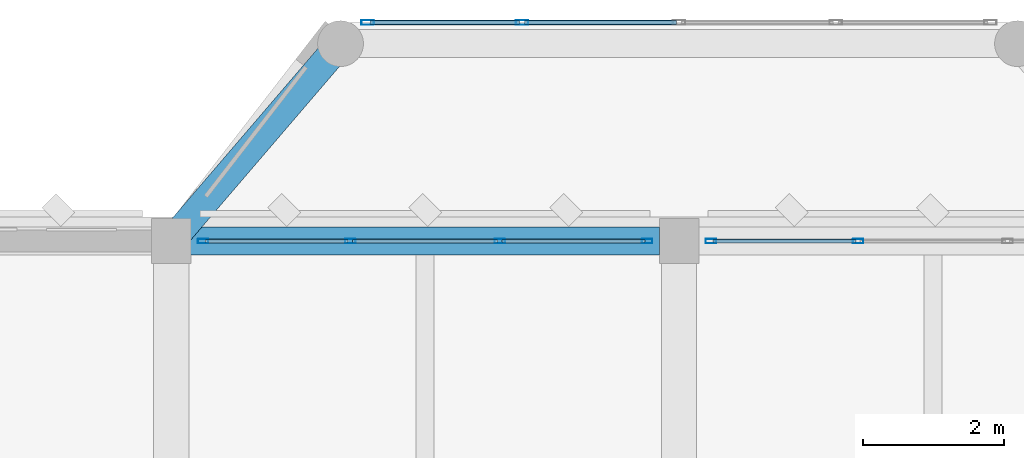
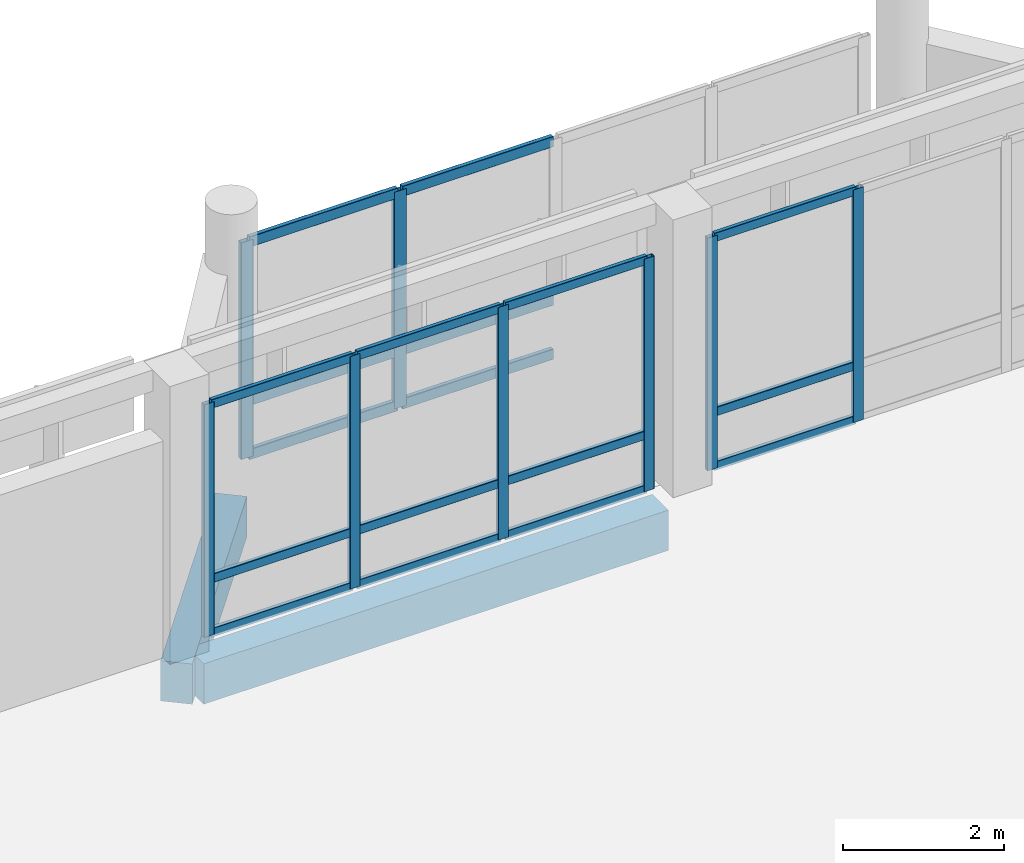
# One storey, part 112 of 158: 26 members, 2 beams, 3 elements without a shape of their own.
"""IFC4 building model written with IfcOpenShell, lengths in metres."""

from ifc_helpers import new_model, si_unit, direction, frame, origin, origin_2d, place, context, subcontext, project, spatial, rectangle, hollow_rectangle, extrude, material, material_profile, profile_set, type_object, element, aggregate, save


model = new_model("IFC4")

# Units and contexts
model_context = context("Model", 3, precision=1e-05, world=origin(), true_north=direction((0.0, 1.0)))
body_context = subcontext(model_context, "Body", "Model", "MODEL_VIEW")
ifc_project = project(units=[si_unit("LENGTHUNIT", "METRE"), si_unit("AREAUNIT", "SQUARE_METRE"), si_unit("VOLUMEUNIT", "CUBIC_METRE"), si_unit("PLANEANGLEUNIT", "RADIAN"), si_unit("MASSUNIT", "GRAM", prefix="KILO")], contexts=[model_context])

# Site, building, storey
site_placement = place(None, origin())
site = spatial("IfcSite", under=ifc_project, at=site_placement, CompositionType="ELEMENT")
building_placement = place(site_placement, origin())
building = spatial("IfcBuilding", under=site, at=building_placement, Name="Lusvemor Sports Hall", CompositionType="ELEMENT")
storey_placement = place(building_placement, frame((0.0, 0.0, 10.800048828125)))
storey = spatial("IfcBuildingStorey", under=building, at=storey_placement, Name="L02", CompositionType="ELEMENT", Elevation=10.800048828125)

# Curtain wall, members
ifc_material_1 = material(Name="Thermally broken bronze-anodized aluminium", Category="aluminium")
curtain_wall_type_1 = type_object("IfcCurtainWallType", Name="CW_FOYER_A", PredefinedType="NOTDEFINED", material=ifc_material_1)
curtain_wall_1_placement = place(storey_placement, origin())
curtain_wall_1 = element("IfcCurtainWall", 1, at=curtain_wall_1_placement, inside=storey, type_object=curtain_wall_type_1, Name="Curtain Wall CW-BOW-N3-L02-M", PredefinedType="NOTDEFINED")
ifc_material_2 = material(Name="Thermally broken bronze-anodized aluminium", Category="aluminium")
ifc_material_profile_1 = material_profile(ifc_material_2, hollow_rectangle(XDim=0.070068359375, YDim=0.179931640625, WallThickness=0.0048828125, InnerFilletRadius=0.0048828125, OuterFilletRadius=0.010009765625, at=origin_2d()), Name="CWMUL180x70x5")
ifc_profile_set_1 = profile_set([ifc_material_profile_1], Name="Thermally broken bronze-anodized aluminium")
member_type_1 = type_object("IfcMemberType", Name="CW_MUL_A", PredefinedType="MULLION", material=ifc_profile_set_1)
member_1_placement = place(storey_placement, frame((128.784912109375, 118.300048828125, 0.0), z_axis=(0.0, 0.0, 1.0), x_axis=(0.0, 1.0, 0.0)))
member_1 = element("IfcMember", 2, at=member_1_placement, type_object=member_type_1, Name="CW01 mullion 1", PredefinedType="MULLION", context=body_context, shape_type="SweptSolid", body=[
    extrude(hollow_rectangle(XDim=0.070068359375, YDim=0.179931640625, WallThickness=0.0048828125, InnerFilletRadius=0.0048828125, OuterFilletRadius=0.010009765625, at=origin_2d()), origin(), (0.0, 0.0, 1.0), 3.280029296875),
])
member_2_placement = place(storey_placement, frame((130.97509765625, 118.300048828125, 0.0), z_axis=(0.0, 0.0, 1.0), x_axis=(0.0, 1.0, 0.0)))
member_2 = element("IfcMember", 3, at=member_2_placement, type_object=member_type_1, Name="CW01 mullion 2", PredefinedType="MULLION", context=body_context, shape_type="SweptSolid", body=[
    extrude(hollow_rectangle(XDim=0.070068359375, YDim=0.179931640625, WallThickness=0.0048828125, InnerFilletRadius=0.0048828125, OuterFilletRadius=0.010009765625, at=origin_2d()), origin(), (0.0, 0.0, 1.0), 3.280029296875),
])

ifc_material_3 = material(Name="Thermally broken bronze-anodized aluminium", Category="aluminium")
curtain_wall_type_2 = type_object("IfcCurtainWallType", Name="CW_WING_B", PredefinedType="NOTDEFINED", material=ifc_material_3)
curtain_wall_2_placement = place(storey_placement, origin())
curtain_wall_2 = element("IfcCurtainWall", 4, at=curtain_wall_2_placement, inside=storey, type_object=curtain_wall_type_2, Name="Curtain Wall CW-L02-N-1-13", PredefinedType="NOTDEFINED")
ifc_material_4 = material(Name="Thermally broken bronze-anodized aluminium", Category="aluminium")
ifc_material_profile_2 = material_profile(ifc_material_4, hollow_rectangle(XDim=0.06494140625, YDim=0.14990234375, WallThickness=0.00390625, InnerFilletRadius=0.00390625, OuterFilletRadius=0.008056640625, at=origin_2d()), Name="CWMUL150x65x4")
ifc_profile_set_2 = profile_set([ifc_material_profile_2], Name="Thermally broken bronze-anodized aluminium")
member_type_2 = type_object("IfcMemberType", Name="CW_MUL_B", PredefinedType="MULLION", material=ifc_profile_set_2)
member_3_placement = place(storey_placement, frame((126.452392578125, 115.199951171875, 0.0), z_axis=(0.0, 0.0, 1.0), x_axis=(0.0, 1.0, 0.0)))
member_3 = element("IfcMember", 5, at=member_3_placement, type_object=member_type_2, Name="CW02 mullion 1", PredefinedType="MULLION", context=body_context, shape_type="SweptSolid", body=[
    extrude(hollow_rectangle(XDim=0.06494140625, YDim=0.14990234375, WallThickness=0.00390625, InnerFilletRadius=0.00390625, OuterFilletRadius=0.008056640625, at=origin_2d()), origin(), (0.0, 0.0, 1.0), 3.52001953125),
])
member_4_placement = place(storey_placement, frame((128.5400390625, 115.199951171875, 0.0), z_axis=(0.0, 0.0, 1.0), x_axis=(0.0, 1.0, 0.0)))
member_4 = element("IfcMember", 6, at=member_4_placement, type_object=member_type_2, Name="CW02 mullion 2", PredefinedType="MULLION", context=body_context, shape_type="SweptSolid", body=[
    extrude(hollow_rectangle(XDim=0.06494140625, YDim=0.14990234375, WallThickness=0.00390625, InnerFilletRadius=0.00390625, OuterFilletRadius=0.008056640625, at=origin_2d()), origin(), (0.0, 0.0, 1.0), 3.52001953125),
])
member_5_placement = place(storey_placement, frame((130.659912109375, 115.199951171875, 0.0), z_axis=(0.0, 0.0, 1.0), x_axis=(0.0, 1.0, 0.0)))
member_5 = element("IfcMember", 7, at=member_5_placement, type_object=member_type_2, Name="CW02 mullion 3", PredefinedType="MULLION", context=body_context, shape_type="SweptSolid", body=[
    extrude(hollow_rectangle(XDim=0.06494140625, YDim=0.14990234375, WallThickness=0.00390625, InnerFilletRadius=0.00390625, OuterFilletRadius=0.008056640625, at=origin_2d()), origin(), (0.0, 0.0, 1.0), 3.52001953125),
])
member_6_placement = place(storey_placement, frame((132.74755859375, 115.199951171875, 0.0), z_axis=(0.0, 0.0, 1.0), x_axis=(0.0, 1.0, 0.0)))
member_6 = element("IfcMember", 8, at=member_6_placement, type_object=member_type_2, Name="CW02 mullion 4", PredefinedType="MULLION", context=body_context, shape_type="SweptSolid", body=[
    extrude(hollow_rectangle(XDim=0.06494140625, YDim=0.14990234375, WallThickness=0.00390625, InnerFilletRadius=0.00390625, OuterFilletRadius=0.008056640625, at=origin_2d()), origin(), (0.0, 0.0, 1.0), 3.52001953125),
])

curtain_wall_3_placement = place(storey_placement, origin())
curtain_wall_3 = element("IfcCurtainWall", 9, at=curtain_wall_3_placement, inside=storey, type_object=curtain_wall_type_2, Name="Curtain Wall CW-L02-N-1-14", PredefinedType="NOTDEFINED")
member_7_placement = place(storey_placement, frame((133.652587890625, 115.199951171875, 0.0), z_axis=(0.0, 0.0, 1.0), x_axis=(0.0, 1.0, 0.0)))
member_7 = element("IfcMember", 10, at=member_7_placement, type_object=member_type_2, Name="CW02 mullion 1", PredefinedType="MULLION", context=body_context, shape_type="SweptSolid", body=[
    extrude(hollow_rectangle(XDim=0.06494140625, YDim=0.14990234375, WallThickness=0.00390625, InnerFilletRadius=0.00390625, OuterFilletRadius=0.008056640625, at=origin_2d()), origin(), (0.0, 0.0, 1.0), 3.52001953125),
])
member_8_placement = place(storey_placement, frame((135.739990234375, 115.199951171875, 0.0), z_axis=(0.0, 0.0, 1.0), x_axis=(0.0, 1.0, 0.0)))
member_8 = element("IfcMember", 11, at=member_8_placement, type_object=member_type_2, Name="CW02 mullion 2", PredefinedType="MULLION", context=body_context, shape_type="SweptSolid", body=[
    extrude(hollow_rectangle(XDim=0.06494140625, YDim=0.14990234375, WallThickness=0.00390625, InnerFilletRadius=0.00390625, OuterFilletRadius=0.008056640625, at=origin_2d()), origin(), (0.0, 0.0, 1.0), 3.52001953125),
])

# Member
ifc_material_5 = material(Name="Thermally broken bronze-anodized aluminium", Category="aluminium")
ifc_material_profile_3 = material_profile(ifc_material_5, hollow_rectangle(XDim=0.06494140625, YDim=0.159912109375, WallThickness=0.00390625, InnerFilletRadius=0.00390625, OuterFilletRadius=0.008056640625, at=origin_2d()), Name="CWTRN160x65x4")
ifc_profile_set_3 = profile_set([ifc_material_profile_3], Name="Thermally broken bronze-anodized aluminium")
member_type_3 = type_object("IfcMemberType", Name="CW_TRN_A", PredefinedType="USERDEFINED", material=ifc_profile_set_3)
member_9_placement = place(storey_placement, frame((128.820068359375, 118.300048828125, 0.032470703125), z_axis=(1.0, 0.0, 0.0), x_axis=(0.0, 1.0, 0.0)))
member_9 = element("IfcMember", 12, at=member_9_placement, type_object=member_type_3, Name="CW01 transom 1.1", ObjectType="TRANSOM", PredefinedType="USERDEFINED", context=body_context, shape_type="SweptSolid", body=[
    extrude(hollow_rectangle(XDim=0.06494140625, YDim=0.159912109375, WallThickness=0.00390625, InnerFilletRadius=0.00390625, OuterFilletRadius=0.008056640625, at=origin_2d()), origin(), (0.0, 0.0, 1.0), 2.119873046875),
])

member_10_placement = place(storey_placement, frame((128.820068359375, 118.300048828125, 0.849853515625), z_axis=(1.0, 0.0, 0.0), x_axis=(0.0, 1.0, 0.0)))
member_10 = element("IfcMember", 13, at=member_10_placement, type_object=member_type_3, Name="CW01 transom 1.2", ObjectType="TRANSOM", PredefinedType="USERDEFINED", context=body_context, shape_type="SweptSolid", body=[
    extrude(hollow_rectangle(XDim=0.06494140625, YDim=0.159912109375, WallThickness=0.00390625, InnerFilletRadius=0.00390625, OuterFilletRadius=0.008056640625, at=origin_2d()), origin(), (0.0, 0.0, 1.0), 2.119873046875),
])

member_11_placement = place(storey_placement, frame((128.820068359375, 118.300048828125, 3.24755859375), z_axis=(1.0, 0.0, 0.0), x_axis=(0.0, 1.0, 0.0)))
member_11 = element("IfcMember", 14, at=member_11_placement, type_object=member_type_3, Name="CW01 transom 1.3", ObjectType="TRANSOM", PredefinedType="USERDEFINED", context=body_context, shape_type="SweptSolid", body=[
    extrude(hollow_rectangle(XDim=0.06494140625, YDim=0.159912109375, WallThickness=0.00390625, InnerFilletRadius=0.00390625, OuterFilletRadius=0.008056640625, at=origin_2d()), origin(), (0.0, 0.0, 1.0), 2.119873046875),
])

member_12_placement = place(storey_placement, frame((131.010009765625, 118.300048828125, 0.032470703125), z_axis=(1.0, 0.0, 0.0), x_axis=(0.0, 1.0, 0.0)))
member_12 = element("IfcMember", 15, at=member_12_placement, type_object=member_type_3, Name="CW01 transom 2.1", ObjectType="TRANSOM", PredefinedType="USERDEFINED", context=body_context, shape_type="SweptSolid", body=[
    extrude(hollow_rectangle(XDim=0.06494140625, YDim=0.159912109375, WallThickness=0.00390625, InnerFilletRadius=0.00390625, OuterFilletRadius=0.008056640625, at=origin_2d()), origin(), (0.0, 0.0, 1.0), 2.155029296875),
])

member_13_placement = place(storey_placement, frame((131.010009765625, 118.300048828125, 0.849853515625), z_axis=(1.0, 0.0, 0.0), x_axis=(0.0, 1.0, 0.0)))
member_13 = element("IfcMember", 16, at=member_13_placement, type_object=member_type_3, Name="CW01 transom 2.2", ObjectType="TRANSOM", PredefinedType="USERDEFINED", context=body_context, shape_type="SweptSolid", body=[
    extrude(hollow_rectangle(XDim=0.06494140625, YDim=0.159912109375, WallThickness=0.00390625, InnerFilletRadius=0.00390625, OuterFilletRadius=0.008056640625, at=origin_2d()), origin(), (0.0, 0.0, 1.0), 2.155029296875),
])

member_14_placement = place(storey_placement, frame((131.010009765625, 118.300048828125, 3.24755859375), z_axis=(1.0, 0.0, 0.0), x_axis=(0.0, 1.0, 0.0)))
member_14 = element("IfcMember", 17, at=member_14_placement, type_object=member_type_3, Name="CW01 transom 2.3", ObjectType="TRANSOM", PredefinedType="USERDEFINED", context=body_context, shape_type="SweptSolid", body=[
    extrude(hollow_rectangle(XDim=0.06494140625, YDim=0.159912109375, WallThickness=0.00390625, InnerFilletRadius=0.00390625, OuterFilletRadius=0.008056640625, at=origin_2d()), origin(), (0.0, 0.0, 1.0), 2.155029296875),
])

aggregate(curtain_wall_1, [member_1, member_2, member_9, member_10, member_11, member_12, member_13, member_14])

ifc_material_6 = material(Name="Thermally broken bronze-anodized aluminium", Category="aluminium")
ifc_material_profile_4 = material_profile(ifc_material_6, hollow_rectangle(XDim=0.06005859375, YDim=0.135009765625, WallThickness=0.00390625, InnerFilletRadius=0.00390625, OuterFilletRadius=0.008056640625, at=origin_2d()), Name="CWTRN135x60x4")
ifc_profile_set_4 = profile_set([ifc_material_profile_4], Name="Thermally broken bronze-anodized aluminium")
member_type_4 = type_object("IfcMemberType", Name="CW_TRN_B", PredefinedType="USERDEFINED", material=ifc_profile_set_4)
member_15_placement = place(storey_placement, frame((126.485107421875, 115.199951171875, 0.030029296875), z_axis=(1.0, 0.0, 0.0), x_axis=(0.0, 1.0, 0.0)))
member_15 = element("IfcMember", 18, at=member_15_placement, type_object=member_type_4, Name="CW02 transom 1.1", ObjectType="TRANSOM", PredefinedType="USERDEFINED", context=body_context, shape_type="SweptSolid", body=[
    extrude(hollow_rectangle(XDim=0.06005859375, YDim=0.135009765625, WallThickness=0.00390625, InnerFilletRadius=0.00390625, OuterFilletRadius=0.008056640625, at=origin_2d()), origin(), (0.0, 0.0, 1.0), 2.0224609375),
])

member_16_placement = place(storey_placement, frame((126.485107421875, 115.199951171875, 0.849853515625), z_axis=(1.0, 0.0, 0.0), x_axis=(0.0, 1.0, 0.0)))
member_16 = element("IfcMember", 19, at=member_16_placement, type_object=member_type_4, Name="CW02 transom 1.2", ObjectType="TRANSOM", PredefinedType="USERDEFINED", context=body_context, shape_type="SweptSolid", body=[
    extrude(hollow_rectangle(XDim=0.06005859375, YDim=0.135009765625, WallThickness=0.00390625, InnerFilletRadius=0.00390625, OuterFilletRadius=0.008056640625, at=origin_2d()), origin(), (0.0, 0.0, 1.0), 2.0224609375),
])

member_17_placement = place(storey_placement, frame((126.485107421875, 115.199951171875, 3.489990234375), z_axis=(1.0, 0.0, 0.0), x_axis=(0.0, 1.0, 0.0)))
member_17 = element("IfcMember", 20, at=member_17_placement, type_object=member_type_4, Name="CW02 transom 1.3", ObjectType="TRANSOM", PredefinedType="USERDEFINED", context=body_context, shape_type="SweptSolid", body=[
    extrude(hollow_rectangle(XDim=0.06005859375, YDim=0.135009765625, WallThickness=0.00390625, InnerFilletRadius=0.00390625, OuterFilletRadius=0.008056640625, at=origin_2d()), origin(), (0.0, 0.0, 1.0), 2.0224609375),
])

member_18_placement = place(storey_placement, frame((128.572509765625, 115.199951171875, 0.030029296875), z_axis=(1.0, 0.0, 0.0), x_axis=(0.0, 1.0, 0.0)))
member_18 = element("IfcMember", 21, at=member_18_placement, type_object=member_type_4, Name="CW02 transom 2.1", ObjectType="TRANSOM", PredefinedType="USERDEFINED", context=body_context, shape_type="SweptSolid", body=[
    extrude(hollow_rectangle(XDim=0.06005859375, YDim=0.135009765625, WallThickness=0.00390625, InnerFilletRadius=0.00390625, OuterFilletRadius=0.008056640625, at=origin_2d()), origin(), (0.0, 0.0, 1.0), 2.054931640625),
])

member_19_placement = place(storey_placement, frame((128.572509765625, 115.199951171875, 0.849853515625), z_axis=(1.0, 0.0, 0.0), x_axis=(0.0, 1.0, 0.0)))
member_19 = element("IfcMember", 22, at=member_19_placement, type_object=member_type_4, Name="CW02 transom 2.2", ObjectType="TRANSOM", PredefinedType="USERDEFINED", context=body_context, shape_type="SweptSolid", body=[
    extrude(hollow_rectangle(XDim=0.06005859375, YDim=0.135009765625, WallThickness=0.00390625, InnerFilletRadius=0.00390625, OuterFilletRadius=0.008056640625, at=origin_2d()), origin(), (0.0, 0.0, 1.0), 2.054931640625),
])

member_20_placement = place(storey_placement, frame((128.572509765625, 115.199951171875, 3.489990234375), z_axis=(1.0, 0.0, 0.0), x_axis=(0.0, 1.0, 0.0)))
member_20 = element("IfcMember", 23, at=member_20_placement, type_object=member_type_4, Name="CW02 transom 2.3", ObjectType="TRANSOM", PredefinedType="USERDEFINED", context=body_context, shape_type="SweptSolid", body=[
    extrude(hollow_rectangle(XDim=0.06005859375, YDim=0.135009765625, WallThickness=0.00390625, InnerFilletRadius=0.00390625, OuterFilletRadius=0.008056640625, at=origin_2d()), origin(), (0.0, 0.0, 1.0), 2.054931640625),
])

member_21_placement = place(storey_placement, frame((130.6923828125, 115.199951171875, 0.030029296875), z_axis=(1.0, 0.0, 0.0), x_axis=(0.0, 1.0, 0.0)))
member_21 = element("IfcMember", 24, at=member_21_placement, type_object=member_type_4, Name="CW02 transom 3.1", ObjectType="TRANSOM", PredefinedType="USERDEFINED", context=body_context, shape_type="SweptSolid", body=[
    extrude(hollow_rectangle(XDim=0.06005859375, YDim=0.135009765625, WallThickness=0.00390625, InnerFilletRadius=0.00390625, OuterFilletRadius=0.008056640625, at=origin_2d()), origin(), (0.0, 0.0, 1.0), 2.022705078125),
])

member_22_placement = place(storey_placement, frame((130.6923828125, 115.199951171875, 0.849853515625), z_axis=(1.0, 0.0, 0.0), x_axis=(0.0, 1.0, 0.0)))
member_22 = element("IfcMember", 25, at=member_22_placement, type_object=member_type_4, Name="CW02 transom 3.2", ObjectType="TRANSOM", PredefinedType="USERDEFINED", context=body_context, shape_type="SweptSolid", body=[
    extrude(hollow_rectangle(XDim=0.06005859375, YDim=0.135009765625, WallThickness=0.00390625, InnerFilletRadius=0.00390625, OuterFilletRadius=0.008056640625, at=origin_2d()), origin(), (0.0, 0.0, 1.0), 2.022705078125),
])

member_23_placement = place(storey_placement, frame((130.6923828125, 115.199951171875, 3.489990234375), z_axis=(1.0, 0.0, 0.0), x_axis=(0.0, 1.0, 0.0)))
member_23 = element("IfcMember", 26, at=member_23_placement, type_object=member_type_4, Name="CW02 transom 3.3", ObjectType="TRANSOM", PredefinedType="USERDEFINED", context=body_context, shape_type="SweptSolid", body=[
    extrude(hollow_rectangle(XDim=0.06005859375, YDim=0.135009765625, WallThickness=0.00390625, InnerFilletRadius=0.00390625, OuterFilletRadius=0.008056640625, at=origin_2d()), origin(), (0.0, 0.0, 1.0), 2.022705078125),
])

aggregate(curtain_wall_2, [member_3, member_4, member_5, member_6, member_15, member_16, member_17, member_18, member_19, member_20, member_21, member_22, member_23])

member_24_placement = place(storey_placement, frame((133.68505859375, 115.199951171875, 0.030029296875), z_axis=(1.0, 0.0, 0.0), x_axis=(0.0, 1.0, 0.0)))
member_24 = element("IfcMember", 27, at=member_24_placement, type_object=member_type_4, Name="CW02 transom 1.1", ObjectType="TRANSOM", PredefinedType="USERDEFINED", context=body_context, shape_type="SweptSolid", body=[
    extrude(hollow_rectangle(XDim=0.06005859375, YDim=0.135009765625, WallThickness=0.00390625, InnerFilletRadius=0.00390625, OuterFilletRadius=0.008056640625, at=origin_2d()), origin(), (0.0, 0.0, 1.0), 2.0224609375),
])

member_25_placement = place(storey_placement, frame((133.68505859375, 115.199951171875, 0.849853515625), z_axis=(1.0, 0.0, 0.0), x_axis=(0.0, 1.0, 0.0)))
member_25 = element("IfcMember", 28, at=member_25_placement, type_object=member_type_4, Name="CW02 transom 1.2", ObjectType="TRANSOM", PredefinedType="USERDEFINED", context=body_context, shape_type="SweptSolid", body=[
    extrude(hollow_rectangle(XDim=0.06005859375, YDim=0.135009765625, WallThickness=0.00390625, InnerFilletRadius=0.00390625, OuterFilletRadius=0.008056640625, at=origin_2d()), origin(), (0.0, 0.0, 1.0), 2.0224609375),
])

member_26_placement = place(storey_placement, frame((133.68505859375, 115.199951171875, 3.489990234375), z_axis=(1.0, 0.0, 0.0), x_axis=(0.0, 1.0, 0.0)))
member_26 = element("IfcMember", 29, at=member_26_placement, type_object=member_type_4, Name="CW02 transom 1.3", ObjectType="TRANSOM", PredefinedType="USERDEFINED", context=body_context, shape_type="SweptSolid", body=[
    extrude(hollow_rectangle(XDim=0.06005859375, YDim=0.135009765625, WallThickness=0.00390625, InnerFilletRadius=0.00390625, OuterFilletRadius=0.008056640625, at=origin_2d()), origin(), (0.0, 0.0, 1.0), 2.0224609375),
])

aggregate(curtain_wall_3, [member_7, member_8, member_24, member_25, member_26])

# Beams
ifc_material_7 = material(Name="Concrete C40/50", Category="concrete")
ifc_material_profile_5 = material_profile(ifc_material_7, rectangle(XDim=0.39990234375, YDim=0.610107421875, at=origin_2d()), Name="RC400x610")
ifc_profile_set_5 = profile_set([ifc_material_profile_5], Name="Concrete C40/50")
beam_type = type_object("IfcBeamType", Name="SPAND_EXT_650", PredefinedType="SPANDREL", material=ifc_profile_set_5)
beam_1_placement = place(storey_placement, frame((126.27587890625, 115.199951171875, -0.56494140625), z_axis=(1.0, 0.0, 0.0), x_axis=(0.0, 1.0, 0.0)))
element("IfcBeam", 30, at=beam_1_placement, inside=storey, type_object=beam_type, Name="Beam L02 Q:14-15", PredefinedType="SPANDREL", context=body_context, shape_type="SweptSolid", body=[
    extrude(rectangle(XDim=0.39990234375, YDim=0.610107421875, at=origin_2d()), origin(), (0.0, 0.0, 1.0), 6.648193359375),
])
beam_2_placement = place(storey_placement, frame((126.0, 115.199951171875, -0.56494140625), z_axis=(0.650769565339, 0.759275294494, 0.0), x_axis=(-0.759275294494, 0.650769565339, 0.0)))
element("IfcBeam", 31, at=beam_2_placement, inside=storey, type_object=beam_type, Name="Bow Pavilion Edge Beam BOW-N3 L02-1", PredefinedType="SPANDREL", context=body_context, shape_type="SweptSolid", body=[
    extrude(rectangle(XDim=0.39990234375, YDim=0.610107421875, at=origin_2d()), origin(), (0.0, 0.0, 1.0), 3.687744140625),
])

save(model, "model.ifc")
